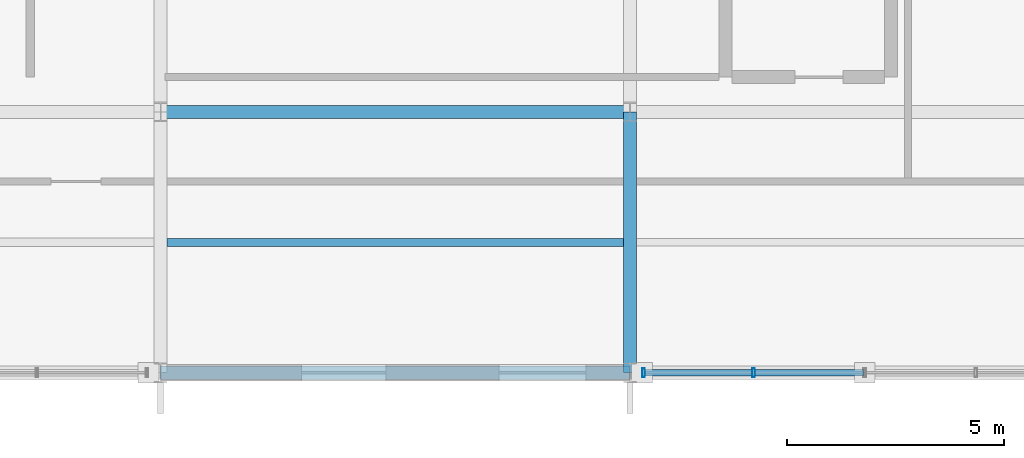
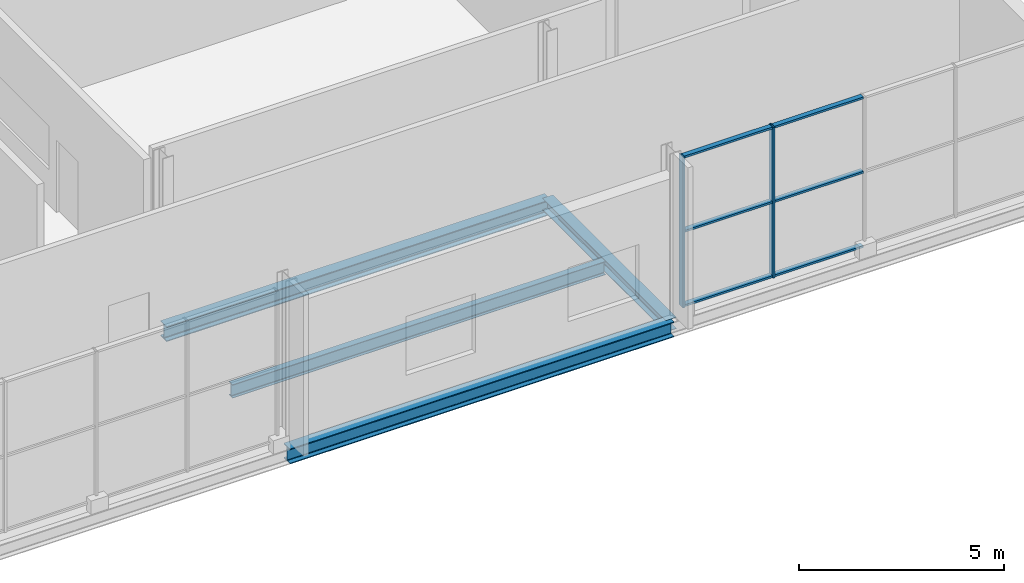
# One storey, part 105 of 159: 8 members, 4 beams, 1 element without a shape of its own.
"""IFC4 building model written with IfcOpenShell, lengths in metres."""

from ifc_helpers import new_model, si_unit, direction, frame, origin, origin_2d, place, context, subcontext, project, spatial, hollow_rectangle, i_section, extrude, material, material_profile, profile_set, type_object, element, aggregate, save


model = new_model("IFC4")

# Units and contexts
model_context = context("Model", 3, precision=1e-05, world=origin(), true_north=direction((0.0, 1.0)))
body_context = subcontext(model_context, "Body", "Model", "MODEL_VIEW")
ifc_project = project(units=[si_unit("LENGTHUNIT", "METRE"), si_unit("AREAUNIT", "SQUARE_METRE"), si_unit("VOLUMEUNIT", "CUBIC_METRE"), si_unit("PLANEANGLEUNIT", "RADIAN"), si_unit("MASSUNIT", "GRAM", prefix="KILO")], contexts=[model_context])

# Site, building, storey
site_placement = place(None, origin())
site = spatial("IfcSite", under=ifc_project, at=site_placement, CompositionType="ELEMENT")
building_placement = place(site_placement, origin())
building = spatial("IfcBuilding", under=site, at=building_placement, Name="Merenkruunu Market Hall", CompositionType="ELEMENT")
storey_placement = place(building_placement, frame((0.0, 0.0, 5.39990234375)))
storey = spatial("IfcBuildingStorey", under=building, at=storey_placement, Name="L01", CompositionType="ELEMENT", Elevation=5.39990234375)

# Curtain wall, members
ifc_material_1 = material(Name="Powder-coated aluminium", Category="aluminium")
curtain_wall_type = type_object("IfcCurtainWallType", Name="Glazed Curtain Wall CW07", PredefinedType="USERDEFINED", material=ifc_material_1)
curtain_wall_placement = place(storey_placement, origin())
curtain_wall = element("IfcCurtainWall", 1, at=curtain_wall_placement, inside=storey, type_object=curtain_wall_type, Name="CW-L01-CWM03-208", ObjectType="GLAZED_FACADE", PredefinedType="USERDEFINED")
ifc_material_profile_1 = material_profile(ifc_material_1, hollow_rectangle(XDim=0.06005859375, YDim=0.199951171875, WallThickness=0.0048828125, at=origin_2d()), Name="ALU 60x200x5")
ifc_profile_set_1 = profile_set([ifc_material_profile_1], Name="Powder-coated aluminium")
member_type_1 = type_object("IfcMemberType", Name="Curtain Wall Mullion CWM03", PredefinedType="MULLION", material=ifc_profile_set_1)
member_1_placement = place(storey_placement, frame((184.0400390625, 0.0, 0.0), z_axis=(0.0, 0.0, 1.0), x_axis=(-1.0, 0.0, 0.0)))
member_1 = element("IfcMember", 2, at=member_1_placement, type_object=member_type_1, Name="CW07 mullion 4", PredefinedType="MULLION", context=body_context, shape_type="SweptSolid", body=[
    extrude(hollow_rectangle(XDim=0.06005859375, YDim=0.199951171875, WallThickness=0.0048828125, at=origin_2d()), origin(), (0.0, 0.0, 1.0), 4.47998046875),
])
member_2_placement = place(storey_placement, frame((181.510009765625, 0.0, 0.0), z_axis=(0.0, 0.0, 1.0), x_axis=(-1.0, 0.0, 0.0)))
member_2 = element("IfcMember", 3, at=member_2_placement, type_object=member_type_1, Name="CW07 mullion 5", PredefinedType="MULLION", context=body_context, shape_type="SweptSolid", body=[
    extrude(hollow_rectangle(XDim=0.06005859375, YDim=0.199951171875, WallThickness=0.0048828125, at=origin_2d()), origin(), (0.0, 0.0, 1.0), 4.47998046875),
])
ifc_material_profile_2 = material_profile(ifc_material_1, hollow_rectangle(XDim=0.06005859375, YDim=0.139892578125, WallThickness=0.00390625, at=origin_2d()), Name="ALU 60x140x4")
ifc_profile_set_2 = profile_set([ifc_material_profile_2], Name="Powder-coated aluminium")
member_type_2 = type_object("IfcMemberType", Name="Curtain Wall Transom CWT02", PredefinedType="USERDEFINED", material=ifc_profile_set_2)
member_3_placement = place(storey_placement, frame((186.570068359375, 0.0, 0.030029296875), z_axis=(-1.0, 0.0, 0.0), x_axis=(0.0, 0.0, 1.0)))
member_3 = element("IfcMember", 4, at=member_3_placement, type_object=member_type_2, Name="CW07 transom 3.1", ObjectType="TRANSOM", PredefinedType="USERDEFINED", context=body_context, shape_type="SweptSolid", body=[
    extrude(hollow_rectangle(XDim=0.06005859375, YDim=0.139892578125, WallThickness=0.00390625, at=origin_2d()), origin(), (0.0, 0.0, 1.0), 2.5),
])
member_4_placement = place(storey_placement, frame((186.570068359375, 0.0, 2.239990234375), z_axis=(-1.0, 0.0, 0.0), x_axis=(0.0, 0.0, 1.0)))
member_4 = element("IfcMember", 5, at=member_4_placement, type_object=member_type_2, Name="CW07 transom 3.2", ObjectType="TRANSOM", PredefinedType="USERDEFINED", context=body_context, shape_type="SweptSolid", body=[
    extrude(hollow_rectangle(XDim=0.06005859375, YDim=0.139892578125, WallThickness=0.00390625, at=origin_2d()), origin(), (0.0, 0.0, 1.0), 2.5),
])
member_5_placement = place(storey_placement, frame((186.570068359375, 0.0, 4.4501953125), z_axis=(-1.0, 0.0, 0.0), x_axis=(0.0, 0.0, 1.0)))
member_5 = element("IfcMember", 6, at=member_5_placement, type_object=member_type_2, Name="CW07 transom 3.3", ObjectType="TRANSOM", PredefinedType="USERDEFINED", context=body_context, shape_type="SweptSolid", body=[
    extrude(hollow_rectangle(XDim=0.06005859375, YDim=0.139892578125, WallThickness=0.00390625, at=origin_2d()), origin(), (0.0, 0.0, 1.0), 2.5),
])
member_6_placement = place(storey_placement, frame((184.010009765625, 0.0, 0.030029296875), z_axis=(-1.0, 0.0, 0.0), x_axis=(0.0, 0.0, 1.0)))
member_6 = element("IfcMember", 7, at=member_6_placement, type_object=member_type_2, Name="CW07 transom 4.1", ObjectType="TRANSOM", PredefinedType="USERDEFINED", context=body_context, shape_type="SweptSolid", body=[
    extrude(hollow_rectangle(XDim=0.06005859375, YDim=0.139892578125, WallThickness=0.00390625, at=origin_2d()), origin(), (0.0, 0.0, 1.0), 2.469970703125),
])
member_7_placement = place(storey_placement, frame((184.010009765625, 0.0, 2.239990234375), z_axis=(-1.0, 0.0, 0.0), x_axis=(0.0, 0.0, 1.0)))
member_7 = element("IfcMember", 8, at=member_7_placement, type_object=member_type_2, Name="CW07 transom 4.2", ObjectType="TRANSOM", PredefinedType="USERDEFINED", context=body_context, shape_type="SweptSolid", body=[
    extrude(hollow_rectangle(XDim=0.06005859375, YDim=0.139892578125, WallThickness=0.00390625, at=origin_2d()), origin(), (0.0, 0.0, 1.0), 2.469970703125),
])
member_8_placement = place(storey_placement, frame((184.010009765625, 0.0, 4.4501953125), z_axis=(-1.0, 0.0, 0.0), x_axis=(0.0, 0.0, 1.0)))
member_8 = element("IfcMember", 9, at=member_8_placement, type_object=member_type_2, Name="CW07 transom 4.3", ObjectType="TRANSOM", PredefinedType="USERDEFINED", context=body_context, shape_type="SweptSolid", body=[
    extrude(hollow_rectangle(XDim=0.06005859375, YDim=0.139892578125, WallThickness=0.00390625, at=origin_2d()), origin(), (0.0, 0.0, 1.0), 2.469970703125),
])
aggregate(curtain_wall, [member_1, member_2, member_3, member_4, member_5, member_6, member_7, member_8])

# Beams
ifc_material_2 = material(Name="Steel S355J2", Category="steel")
ifc_material_profile_3 = material_profile(ifc_material_2, i_section(OverallWidth=0.300048828125, OverallDepth=0.449951171875, WebThickness=0.013916015625, FlangeThickness=0.02587890625, FilletRadius=0.027099609375, at=origin_2d()), Name="HEB 450")
ifc_profile_set_3 = profile_set([ifc_material_profile_3], Name="Steel S355J2")
beam_type_1 = type_object("IfcBeamType", Name="Primary Floor Girder B03", PredefinedType="BEAM", material=ifc_profile_set_3)
for number, where, z_axis, x_axis, name in (
    (10, (170.39990234375, 0.0, -0.5048828125), (1.0, 0.0, 0.0), (0.0, 1.0, 0.0), "BM-L01-B03-0468"),
    (11, (170.39990234375, 6.0, -0.5048828125), (1.0, 0.0, 0.0), (0.0, 1.0, 0.0), "BM-L01-B03-0472"),
):
    element("IfcBeam", number, at=place(storey_placement, frame(where, z_axis=z_axis, x_axis=x_axis)), inside=storey, type_object=beam_type_1, Name=name, PredefinedType="BEAM", context=body_context, shape_type="SweptSolid", body=[
        extrude(i_section(OverallWidth=0.300048828125, OverallDepth=0.449951171875, WebThickness=0.013916015625, FlangeThickness=0.02587890625, FilletRadius=0.027099609375, at=origin_2d()), origin(), (0.0, 0.0, 1.0), 10.800048828125),
    ])
ifc_material_profile_4 = material_profile(ifc_material_2, i_section(OverallWidth=0.300048828125, OverallDepth=0.35009765625, WebThickness=0.010009765625, FlangeThickness=0.017578125, FilletRadius=0.027099609375, at=origin_2d()), Name="HEA 360")
ifc_profile_set_4 = profile_set([ifc_material_profile_4], Name="Steel S355J2")
beam_type_2 = type_object("IfcBeamType", Name="Primary Floor Girder B08", PredefinedType="BEAM", material=ifc_profile_set_4)
beam_1_placement = place(storey_placement, frame((181.199951171875, 0.0, -0.454833984375), z_axis=(0.0, 1.0, 0.0), x_axis=(-1.0, 0.0, 0.0)))
element("IfcBeam", 12, at=beam_1_placement, inside=storey, type_object=beam_type_2, Name="BM-L01-B08-0636", PredefinedType="BEAM", context=body_context, shape_type="SweptSolid", body=[
    extrude(i_section(OverallWidth=0.300048828125, OverallDepth=0.35009765625, WebThickness=0.010009765625, FlangeThickness=0.017578125, FilletRadius=0.027099609375, at=origin_2d()), origin(), (0.0, 0.0, 1.0), 6.0),
])
ifc_material_profile_5 = material_profile(ifc_material_2, i_section(OverallWidth=0.179931640625, OverallDepth=0.39990234375, WebThickness=0.008544921875, FlangeThickness=0.013427734375, FilletRadius=0.02099609375, at=origin_2d()), Name="IPE 400")
ifc_profile_set_5 = profile_set([ifc_material_profile_5], Name="Steel S355J2")
beam_type_3 = type_object("IfcBeamType", Name="Secondary Floor Joist J02", PredefinedType="JOIST", material=ifc_profile_set_5)
beam_2_placement = place(storey_placement, frame((170.552978515625, 3.0, -0.47998046875), z_axis=(1.0, 0.0, 0.0), x_axis=(0.0, 1.0, 0.0)))
element("IfcBeam", 13, at=beam_2_placement, inside=storey, type_object=beam_type_3, Name="BM-L01-J02-0720", PredefinedType="JOIST", context=body_context, shape_type="SweptSolid", body=[
    extrude(i_section(OverallWidth=0.179931640625, OverallDepth=0.39990234375, WebThickness=0.008544921875, FlangeThickness=0.013427734375, FilletRadius=0.02099609375, at=origin_2d()), origin(), (0.0, 0.0, 1.0), 10.494140625),
])

save(model, "model.ifc")
